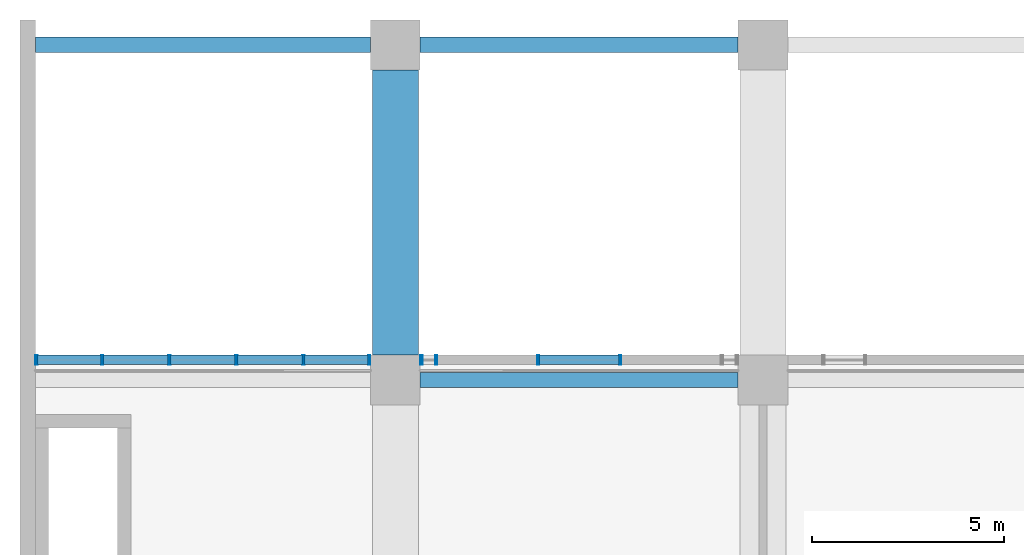
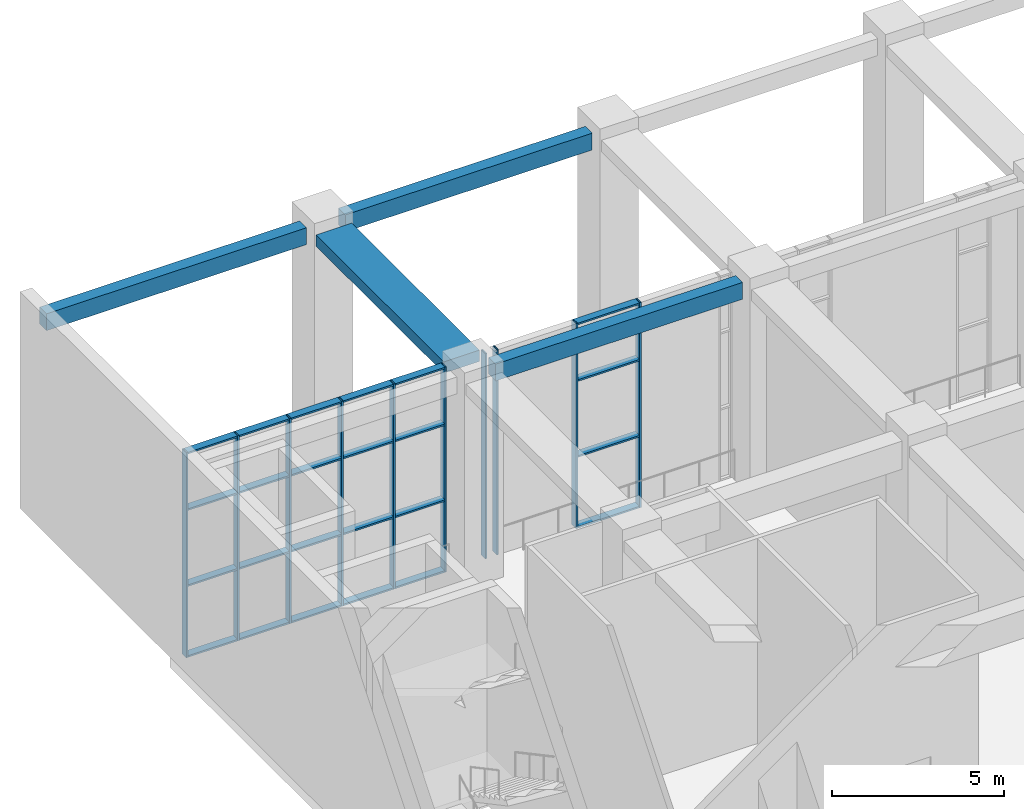
# One storey, part 3 of 33: 34 members, 4 beams, 3 elements without a shape of their own.
"""IFC4 building model written with IfcOpenShell, lengths in metres."""

import ifcopenshell
import ifcopenshell.guid

model = None  # the IFC model being written
_history = None  # IfcOwnerHistory: only IFC2X3 demands one
_inside = {}  # id of a spatial element -> (the spatial element, [elements in it])
_under = {}  # id of a project, library or spatial element -> (it, [spatial elements below it])
_declared = {}  # id of a project -> (the project, [libraries it declares])
_typed = {}  # id of a type object -> (the type object, [elements of that type])
_made_of = {}  # id of a material, layer set ... -> (it, [elements and type objects made of it])


def new_model(schema):
    """Start an empty IFC model of exactly this schema.

    Asked for "IFC4X3", IfcOpenShell would pick the latest addendum, in which some entities
    have other attributes; the version numbers below select the first issue.
    IFC2X3 requires an IfcOwnerHistory on every rooted entity: one is made here for all.
    """
    global model, _history
    if schema == "IFC4X3":
        model = ifcopenshell.file(schema_version=(4, 3, 0, 0))
    else:
        model = ifcopenshell.file(schema=schema)
    _inside.clear()
    _under.clear()
    _declared.clear()
    _typed.clear()
    _made_of.clear()
    _history = None
    if model.schema == "IFC2X3":
        org = make("IfcOrganization", Name="unknown")
        user = make(
            "IfcPersonAndOrganization",
            ThePerson=make("IfcPerson", FamilyName="unknown"),
            TheOrganization=org,
        )
        app = make(
            "IfcApplication",
            ApplicationDeveloper=org,
            Version="unknown",
            ApplicationFullName="unknown",
            ApplicationIdentifier="unknown",
        )
        _history = make(
            "IfcOwnerHistory",
            OwningUser=user,
            OwningApplication=app,
            ChangeAction="ADDED",
            CreationDate=0,
        )
    return model


def make(cls, **values):
    """One entity of the class cls with the attributes given. An attribute that is None is left unset."""
    return model.create_entity(
        cls, **{name: value for name, value in values.items() if value is not None}
    )


def rooted(cls, **values):
    """An entity with a GlobalId (a new one), such as an element, a storey or a relation."""
    return make(cls, GlobalId=ifcopenshell.guid.new(), OwnerHistory=_history, **values)


def si_unit(unit_type, name, prefix=None):
    """IfcSIUnit, for example si_unit("LENGTHUNIT", "METRE", prefix="MILLI")."""
    return make("IfcSIUnit", UnitType=unit_type, Prefix=prefix, Name=name)


def assignment(units):
    """IfcUnitAssignment: the units of a project."""
    return None if units is None else make("IfcUnitAssignment", Units=units)


def point(xyz):
    """IfcCartesianPoint."""
    return None if xyz is None else make("IfcCartesianPoint", Coordinates=xyz)


def direction(xyz):
    """IfcDirection."""
    return None if xyz is None else make("IfcDirection", DirectionRatios=xyz)


def frame(location, z_axis=None, x_axis=None):
    """IfcAxis2Placement3D, a coordinate frame: its origin and axes. An axis left out is left unset."""
    return make(
        "IfcAxis2Placement3D",
        Location=point(location),
        Axis=direction(z_axis),
        RefDirection=direction(x_axis),
    )


def frame_2d(location, x_axis=None):
    """IfcAxis2Placement2D, a coordinate frame in the plane: its origin and x axis."""
    return make(
        "IfcAxis2Placement2D", Location=point(location), RefDirection=direction(x_axis)
    )


def origin():
    """The frame at (0, 0, 0) with its axes left unset."""
    return frame((0.0, 0.0, 0.0))


def origin_2d():
    """The frame at (0, 0) in the plane with its x axis left unset."""
    return frame_2d((0.0, 0.0))


def place(relative_to, where):
    """IfcLocalPlacement: puts the frame where relative to a parent placement (None: the world)."""
    return make(
        "IfcLocalPlacement", PlacementRelTo=relative_to, RelativePlacement=where
    )


def context(
    kind, dimensions, precision=None, world=None, true_north=None, identifier=None
):
    """IfcGeometricRepresentationContext, for example the 3D "Model" context."""
    return make(
        "IfcGeometricRepresentationContext",
        ContextIdentifier=identifier,
        ContextType=kind,
        CoordinateSpaceDimension=dimensions,
        Precision=precision,
        WorldCoordinateSystem=world,
        TrueNorth=true_north,
    )


def subcontext(parent, identifier, kind, view, scale=None):
    """IfcGeometricRepresentationSubContext, for example "Body" below "Model"."""
    return make(
        "IfcGeometricRepresentationSubContext",
        ContextIdentifier=identifier,
        ContextType=kind,
        ParentContext=parent,
        TargetScale=scale,
        TargetView=view,
    )


def project(units=None, contexts=None):
    """IfcProject with its units and contexts."""
    return rooted(
        "IfcProject",
        Name="project",
        RepresentationContexts=contexts,
        UnitsInContext=assignment(units),
    )


def spatial(cls, under=None, at=None, **own):
    """A site, building, storey or space (cls), placed at a placement, below another one or the project."""
    s = rooted(cls, ObjectPlacement=at, **own)
    if under is not None:
        _under.setdefault(under.id(), (under, []))[1].append(s)
    return s


def profile(cls, at=None, kind="AREA", **sizes):
    """A parametric profile (cls). Its sizes go by their IFC names, for example OverallWidth=200.0."""
    return make(cls, ProfileType=kind, Position=at, **sizes)


def rectangle(**sizes):
    """IfcRectangleProfileDef."""
    return profile("IfcRectangleProfileDef", **sizes)


def hollow_rectangle(**sizes):
    """IfcRectangleHollowProfileDef."""
    return profile("IfcRectangleHollowProfileDef", **sizes)


def extrude(swept, where, along, depth):
    """IfcExtrudedAreaSolid: the profile swept, set in the frame where, extruded along a direction by depth."""
    return make(
        "IfcExtrudedAreaSolid",
        SweptArea=swept,
        Position=where,
        ExtrudedDirection=direction(along),
        Depth=depth,
    )


def shape(context_of_items, identifier, shape_type, items):
    """IfcShapeRepresentation: the items that make up one representation, for example the "Body"."""
    return make(
        "IfcShapeRepresentation",
        ContextOfItems=context_of_items,
        RepresentationIdentifier=identifier,
        RepresentationType=shape_type,
        Items=items,
    )


def material(Name=None, Category=None):
    """IfcMaterial."""
    return make("IfcMaterial", Name=Name, Category=Category)


def layer(
    of_material, thickness, ventilated=None, Name=None, Category=None, Priority=None
):
    """IfcMaterialLayer: one layer of a wall or slab, of a material (None: an air gap)."""
    return make(
        "IfcMaterialLayer",
        Material=of_material,
        LayerThickness=thickness,
        IsVentilated=ventilated,
        Name=Name,
        Category=Category,
        Priority=Priority,
    )


def layer_set(layers, Name=None):
    """IfcMaterialLayerSet."""
    return make("IfcMaterialLayerSet", MaterialLayers=layers, LayerSetName=Name)


def material_profile(
    of_material, cross_section, Name=None, Category=None, Priority=None
):
    """IfcMaterialProfile: a cross section and its material."""
    return make(
        "IfcMaterialProfile",
        Name=Name,
        Material=of_material,
        Profile=cross_section,
        Priority=Priority,
        Category=Category,
    )


def profile_set(profiles, Name=None, composite=None):
    """IfcMaterialProfileSet."""
    return make(
        "IfcMaterialProfileSet",
        Name=Name,
        MaterialProfiles=profiles,
        CompositeProfile=composite,
    )


def made_of(thing, what):
    """Note that an element or type object is made of a material, layer set ...; save() writes the relation."""
    if what is not None:
        _made_of.setdefault(what.id(), (what, []))[1].append(thing)
    return thing


def type_object(cls, material=None, **own):
    """A type object (cls), such as IfcWallType, which elements share."""
    return made_of(rooted(cls, **own), material)


def element(
    cls,
    number,
    at=None,
    inside=None,
    cuts=None,
    type_object=None,
    material=None,
    context=None,
    identifier="Body",
    shape_type=None,
    held_by="IfcProductDefinitionShape",
    body=None,
    shapes=None,
    **own,
):
    """One element of the class cls, such as IfcWall. Its Tag is "e" and its number.

    at: its placement. inside: the storey or other place that contains it. cuts: it is an
    opening in that element (IfcRelVoidsElement). A single representation is given by context,
    identifier, shape_type and body (its items); several are given by shapes. held_by: the class
    of the entity that holds the representations. save() writes the other relations.
    """
    e = rooted(cls, Tag="e%d" % number, ObjectPlacement=at, **own)
    if body is not None:
        shapes = [shape(context, identifier, shape_type, body)]
    if shapes is not None:
        e.Representation = make(held_by, Representations=shapes)
    if inside is not None:
        _inside.setdefault(inside.id(), (inside, []))[1].append(e)
    if cuts is not None:
        rooted(
            "IfcRelVoidsElement", RelatingBuildingElement=cuts, RelatedOpeningElement=e
        )
    if type_object is not None:
        _typed.setdefault(type_object.id(), (type_object, []))[1].append(e)
    return made_of(e, material)


def aggregate(whole, parts):
    """IfcRelAggregates: a whole, such as a stair, and the parts it consists of."""
    return rooted("IfcRelAggregates", RelatingObject=whole, RelatedObjects=parts)


def save(model, path):
    """Write the relations noted so far, then the file.

    IfcRelAggregates (storeys below a building ...), IfcRelContainedInSpatialStructure (elements
    in a storey), IfcRelDefinesByType, IfcRelAssociatesMaterial and IfcRelDeclares: one each for
    every whole, place, type object, material and project.
    """
    for whole, parts in _under.values():
        aggregate(whole, parts)
    for where, things in _inside.values():
        rooted(
            "IfcRelContainedInSpatialStructure",
            RelatedElements=things,
            RelatingStructure=where,
        )
    for kind, things in _typed.values():
        rooted("IfcRelDefinesByType", RelatedObjects=things, RelatingType=kind)
    for what, things in _made_of.values():
        rooted("IfcRelAssociatesMaterial", RelatedObjects=things, RelatingMaterial=what)
    for by, libraries in _declared.values():
        rooted("IfcRelDeclares", RelatingContext=by, RelatedDefinitions=libraries)
    model.write(path)


model = new_model("IFC4")

# Units and contexts
model_context = context("Model", 3, precision=1e-05, world=origin(), true_north=direction((0.0, 1.0)))
body_context = subcontext(model_context, "Body", "Model", "MODEL_VIEW")
ifc_project = project(units=[si_unit("LENGTHUNIT", "METRE"), si_unit("AREAUNIT", "SQUARE_METRE"), si_unit("VOLUMEUNIT", "CUBIC_METRE"), si_unit("PLANEANGLEUNIT", "RADIAN"), si_unit("MASSUNIT", "GRAM", prefix="KILO")], contexts=[model_context])

# Site, building, storey
site_placement = place(None, origin())
site = spatial("IfcSite", under=ifc_project, at=site_placement, CompositionType="ELEMENT")
building_placement = place(site_placement, origin())
building = spatial("IfcBuilding", under=site, at=building_placement, Name="Nzadi Deep Aquarium and Research Tower", CompositionType="ELEMENT")
storey_placement = place(building_placement, frame((0.0, 0.0, 6.5)))
storey = spatial("IfcBuildingStorey", under=building, at=storey_placement, Name="L01", CompositionType="ELEMENT", Elevation=6.5)

# Curtain wall, members
ifc_material_1 = material(Name="Aluminium stick frame", Category="aluminium")
ifc_layer = layer(ifc_material_1, 0.25)
ifc_layer_set = layer_set([ifc_layer], Name="Aluminium stick frame")
curtain_wall_type = type_object("IfcCurtainWallType", Name="Curtain wall Stick 250", PredefinedType="NOTDEFINED", material=ifc_layer_set)
curtain_wall_1_placement = place(storey_placement, origin())
curtain_wall_1 = element("IfcCurtainWall", 1, at=curtain_wall_1_placement, inside=storey, type_object=curtain_wall_type, Name="Lobby stick glazing L01", PredefinedType="NOTDEFINED")
ifc_material_2 = material(Name="Aluminium stick frame", Category="aluminium")
ifc_material_profile_1 = material_profile(ifc_material_2, hollow_rectangle(XDim=0.25, YDim=0.06005859375, WallThickness=0.0048828125, at=origin_2d()))
ifc_profile_set_1 = profile_set([ifc_material_profile_1], Name="Aluminium stick frame")
member_type_1 = type_object("IfcMemberType", Name="Mullion 60x250 Stick", PredefinedType="MULLION", material=ifc_profile_set_1)
member_1_placement = place(storey_placement, frame((0.22998046875, 132.125, 0.0), z_axis=(0.0, 0.0, 1.0), x_axis=(0.0, 1.0, 0.0)))
member_1 = element("IfcMember", 2, at=member_1_placement, type_object=member_type_1, Name="CW226 mullion 1", PredefinedType="MULLION", context=body_context, shape_type="SweptSolid", body=[
    extrude(hollow_rectangle(XDim=0.25, YDim=0.06005859375, WallThickness=0.0048828125, at=origin_2d()), origin(), (0.0, 0.0, 1.0), 7.2900390625),
])
member_2_placement = place(storey_placement, frame((1.949951171875, 132.125, 0.0), z_axis=(0.0, 0.0, 1.0), x_axis=(0.0, 1.0, 0.0)))
member_2 = element("IfcMember", 3, at=member_2_placement, type_object=member_type_1, Name="CW226 mullion 2", PredefinedType="MULLION", context=body_context, shape_type="SweptSolid", body=[
    extrude(hollow_rectangle(XDim=0.25, YDim=0.06005859375, WallThickness=0.0048828125, at=origin_2d()), origin(), (0.0, 0.0, 1.0), 7.2900390625),
])
member_3_placement = place(storey_placement, frame((3.699951171875, 132.125, 0.0), z_axis=(0.0, 0.0, 1.0), x_axis=(0.0, 1.0, 0.0)))
member_3 = element("IfcMember", 4, at=member_3_placement, type_object=member_type_1, Name="CW226 mullion 3", PredefinedType="MULLION", context=body_context, shape_type="SweptSolid", body=[
    extrude(hollow_rectangle(XDim=0.25, YDim=0.06005859375, WallThickness=0.0048828125, at=origin_2d()), origin(), (0.0, 0.0, 1.0), 7.2900390625),
])
member_4_placement = place(storey_placement, frame((5.449951171875, 132.125, 0.0), z_axis=(0.0, 0.0, 1.0), x_axis=(0.0, 1.0, 0.0)))
member_4 = element("IfcMember", 5, at=member_4_placement, type_object=member_type_1, Name="CW226 mullion 4", PredefinedType="MULLION", context=body_context, shape_type="SweptSolid", body=[
    extrude(hollow_rectangle(XDim=0.25, YDim=0.06005859375, WallThickness=0.0048828125, at=origin_2d()), origin(), (0.0, 0.0, 1.0), 7.2900390625),
])
member_5_placement = place(storey_placement, frame((7.199951171875, 132.125, 0.0), z_axis=(0.0, 0.0, 1.0), x_axis=(0.0, 1.0, 0.0)))
member_5 = element("IfcMember", 6, at=member_5_placement, type_object=member_type_1, Name="CW226 mullion 5", PredefinedType="MULLION", context=body_context, shape_type="SweptSolid", body=[
    extrude(hollow_rectangle(XDim=0.25, YDim=0.06005859375, WallThickness=0.0048828125, at=origin_2d()), origin(), (0.0, 0.0, 1.0), 7.2900390625),
])
member_6_placement = place(storey_placement, frame((8.919921875, 132.125, 0.0), z_axis=(0.0, 0.0, 1.0), x_axis=(0.0, 1.0, 0.0)))
member_6 = element("IfcMember", 7, at=member_6_placement, type_object=member_type_1, Name="CW226 mullion 6", PredefinedType="MULLION", context=body_context, shape_type="SweptSolid", body=[
    extrude(hollow_rectangle(XDim=0.25, YDim=0.06005859375, WallThickness=0.0048828125, at=origin_2d()), origin(), (0.0, 0.0, 1.0), 7.2900390625),
])

curtain_wall_2_placement = place(storey_placement, origin())
curtain_wall_2 = element("IfcCurtainWall", 8, at=curtain_wall_2_placement, inside=storey, type_object=curtain_wall_type, Name="Lobby stick glazing L01", PredefinedType="NOTDEFINED")
member_7_placement = place(storey_placement, frame((10.280029296875, 132.125, 0.0), z_axis=(0.0, 0.0, 1.0), x_axis=(0.0, 1.0, 0.0)))
member_7 = element("IfcMember", 9, at=member_7_placement, type_object=member_type_1, Name="CW230 mullion 1", PredefinedType="MULLION", context=body_context, shape_type="SweptSolid", body=[
    extrude(hollow_rectangle(XDim=0.25, YDim=0.06005859375, WallThickness=0.0048828125, at=origin_2d()), origin(), (0.0, 0.0, 1.0), 7.2900390625),
])
member_8_placement = place(storey_placement, frame((10.669921875, 132.125, 0.0), z_axis=(0.0, 0.0, 1.0), x_axis=(0.0, 1.0, 0.0)))
member_8 = element("IfcMember", 10, at=member_8_placement, type_object=member_type_1, Name="CW230 mullion 2", PredefinedType="MULLION", context=body_context, shape_type="SweptSolid", body=[
    extrude(hollow_rectangle(XDim=0.25, YDim=0.06005859375, WallThickness=0.0048828125, at=origin_2d()), origin(), (0.0, 0.0, 1.0), 7.2900390625),
])
aggregate(curtain_wall_2, [member_7, member_8])

curtain_wall_3_placement = place(storey_placement, origin())
curtain_wall_3 = element("IfcCurtainWall", 11, at=curtain_wall_3_placement, inside=storey, type_object=curtain_wall_type, Name="Lobby stick glazing L01", PredefinedType="NOTDEFINED")
member_9_placement = place(storey_placement, frame((13.330078125, 132.125, 0.0), z_axis=(0.0, 0.0, 1.0), x_axis=(0.0, 1.0, 0.0)))
member_9 = element("IfcMember", 12, at=member_9_placement, type_object=member_type_1, Name="CW231 mullion 1", PredefinedType="MULLION", context=body_context, shape_type="SweptSolid", body=[
    extrude(hollow_rectangle(XDim=0.25, YDim=0.06005859375, WallThickness=0.0048828125, at=origin_2d()), origin(), (0.0, 0.0, 1.0), 7.2900390625),
])
member_10_placement = place(storey_placement, frame((15.469970703125, 132.125, 0.0), z_axis=(0.0, 0.0, 1.0), x_axis=(0.0, 1.0, 0.0)))
member_10 = element("IfcMember", 13, at=member_10_placement, type_object=member_type_1, Name="CW231 mullion 2", PredefinedType="MULLION", context=body_context, shape_type="SweptSolid", body=[
    extrude(hollow_rectangle(XDim=0.25, YDim=0.06005859375, WallThickness=0.0048828125, at=origin_2d()), origin(), (0.0, 0.0, 1.0), 7.2900390625),
])

# Beams
ifc_material_3 = material(Name="Concrete C35/45", Category="concrete")
ifc_material_profile_2 = material_profile(ifc_material_3, rectangle(XDim=1.199951171875, YDim=0.39990234375, at=origin_2d()))
ifc_profile_set_2 = profile_set([ifc_material_profile_2], Name="Concrete C35/45")
beam_type_1 = type_object("IfcBeamType", Name="RC 1200x400", PredefinedType="BEAM", material=ifc_profile_set_2)
beam_1_placement = place(storey_placement, frame((9.60009765625, 132.25, 7.090087890625), z_axis=(0.0, 1.0, 0.0), x_axis=(-1.0, 0.0, 0.0)))
element("IfcBeam", 14, at=beam_1_placement, inside=storey, type_object=beam_type_1, Name="B-Z3-L01-CB-5-13", PredefinedType="BEAM", context=body_context, shape_type="SweptSolid", body=[
    extrude(rectangle(XDim=1.199951171875, YDim=0.39990234375, at=origin_2d()), origin(), (0.0, 0.0, 1.0), 7.449951171875),
])
ifc_material_4 = material(Name="Concrete C35/45", Category="concrete")
ifc_material_profile_3 = material_profile(ifc_material_4, rectangle(XDim=0.39990234375, YDim=0.60009765625, at=origin_2d()))
ifc_profile_set_3 = profile_set([ifc_material_profile_3], Name="Concrete C35/45")
beam_type_2 = type_object("IfcBeamType", Name="RC 400x600", PredefinedType="BEAM", material=ifc_profile_set_3)
beam_2_placement = place(storey_placement, frame((10.25, 131.60009765625, 6.989990234375), z_axis=(1.0, 0.0, 0.0), x_axis=(0.0, 1.0, 0.0)))
element("IfcBeam", 15, at=beam_2_placement, inside=storey, type_object=beam_type_2, Name="B-Z3-L01-L17-2", PredefinedType="BEAM", context=body_context, shape_type="SweptSolid", body=[
    extrude(rectangle(XDim=0.39990234375, YDim=0.60009765625, at=origin_2d()), origin(), (0.0, 0.0, 1.0), 8.300048828125),
])
beam_3_placement = place(storey_placement, frame((0.199951171875, 140.35009765625, 6.989990234375), z_axis=(1.0, 0.0, 0.0), x_axis=(0.0, 1.0, 0.0)))
element("IfcBeam", 16, at=beam_3_placement, inside=storey, type_object=beam_type_2, Name="B-Z3-L01-L18-1", PredefinedType="BEAM", context=body_context, shape_type="SweptSolid", body=[
    extrude(rectangle(XDim=0.39990234375, YDim=0.60009765625, at=origin_2d()), origin(), (0.0, 0.0, 1.0), 8.75),
])
beam_4_placement = place(storey_placement, frame((10.25, 140.35009765625, 6.989990234375), z_axis=(1.0, 0.0, 0.0), x_axis=(0.0, 1.0, 0.0)))
element("IfcBeam", 17, at=beam_4_placement, inside=storey, type_object=beam_type_2, Name="B-Z3-L01-L18-2", PredefinedType="BEAM", context=body_context, shape_type="SweptSolid", body=[
    extrude(rectangle(XDim=0.39990234375, YDim=0.60009765625, at=origin_2d()), origin(), (0.0, 0.0, 1.0), 8.300048828125),
])

# Member
ifc_material_5 = material(Name="Aluminium stick frame", Category="aluminium")
ifc_material_profile_4 = material_profile(ifc_material_5, hollow_rectangle(XDim=0.25, YDim=0.06005859375, WallThickness=0.0048828125, at=origin_2d()))
ifc_profile_set_4 = profile_set([ifc_material_profile_4], Name="Aluminium stick frame")
member_type_2 = type_object("IfcMemberType", Name="Transom 60x250 Stick", PredefinedType="MULLION", material=ifc_profile_set_4)
member_11_placement = place(storey_placement, frame((0.260009765625, 132.125, 0.030029296875), z_axis=(1.0, 0.0, 0.0), x_axis=(0.0, 1.0, 0.0)))
member_11 = element("IfcMember", 18, at=member_11_placement, type_object=member_type_2, Name="CW226 transom 1.1", PredefinedType="MULLION", context=body_context, shape_type="SweptSolid", body=[
    extrude(hollow_rectangle(XDim=0.25, YDim=0.06005859375, WallThickness=0.0048828125, at=origin_2d()), origin(), (0.0, 0.0, 1.0), 1.659912109375),
])

member_12_placement = place(storey_placement, frame((0.260009765625, 132.125, 2.550048828125), z_axis=(1.0, 0.0, 0.0), x_axis=(0.0, 1.0, 0.0)))
member_12 = element("IfcMember", 19, at=member_12_placement, type_object=member_type_2, Name="CW226 transom 1.2", PredefinedType="MULLION", context=body_context, shape_type="SweptSolid", body=[
    extrude(hollow_rectangle(XDim=0.25, YDim=0.06005859375, WallThickness=0.0048828125, at=origin_2d()), origin(), (0.0, 0.0, 1.0), 1.659912109375),
])

member_13_placement = place(storey_placement, frame((0.260009765625, 132.125, 5.2490234375), z_axis=(1.0, 0.0, 0.0), x_axis=(0.0, 1.0, 0.0)))
member_13 = element("IfcMember", 20, at=member_13_placement, type_object=member_type_2, Name="CW226 transom 1.3", PredefinedType="MULLION", context=body_context, shape_type="SweptSolid", body=[
    extrude(hollow_rectangle(XDim=0.25, YDim=0.06005859375, WallThickness=0.0048828125, at=origin_2d()), origin(), (0.0, 0.0, 1.0), 1.659912109375),
])

member_14_placement = place(storey_placement, frame((0.260009765625, 132.125, 7.260009765625), z_axis=(1.0, 0.0, 0.0), x_axis=(0.0, 1.0, 0.0)))
member_14 = element("IfcMember", 21, at=member_14_placement, type_object=member_type_2, Name="CW226 transom 1.4", PredefinedType="MULLION", context=body_context, shape_type="SweptSolid", body=[
    extrude(hollow_rectangle(XDim=0.25, YDim=0.06005859375, WallThickness=0.0048828125, at=origin_2d()), origin(), (0.0, 0.0, 1.0), 1.659912109375),
])

member_15_placement = place(storey_placement, frame((1.97998046875, 132.125, 0.030029296875), z_axis=(1.0, 0.0, 0.0), x_axis=(0.0, 1.0, 0.0)))
member_15 = element("IfcMember", 22, at=member_15_placement, type_object=member_type_2, Name="CW226 transom 2.1", PredefinedType="MULLION", context=body_context, shape_type="SweptSolid", body=[
    extrude(hollow_rectangle(XDim=0.25, YDim=0.06005859375, WallThickness=0.0048828125, at=origin_2d()), origin(), (0.0, 0.0, 1.0), 1.68994140625),
])

member_16_placement = place(storey_placement, frame((1.97998046875, 132.125, 2.550048828125), z_axis=(1.0, 0.0, 0.0), x_axis=(0.0, 1.0, 0.0)))
member_16 = element("IfcMember", 23, at=member_16_placement, type_object=member_type_2, Name="CW226 transom 2.2", PredefinedType="MULLION", context=body_context, shape_type="SweptSolid", body=[
    extrude(hollow_rectangle(XDim=0.25, YDim=0.06005859375, WallThickness=0.0048828125, at=origin_2d()), origin(), (0.0, 0.0, 1.0), 1.68994140625),
])

member_17_placement = place(storey_placement, frame((1.97998046875, 132.125, 5.2490234375), z_axis=(1.0, 0.0, 0.0), x_axis=(0.0, 1.0, 0.0)))
member_17 = element("IfcMember", 24, at=member_17_placement, type_object=member_type_2, Name="CW226 transom 2.3", PredefinedType="MULLION", context=body_context, shape_type="SweptSolid", body=[
    extrude(hollow_rectangle(XDim=0.25, YDim=0.06005859375, WallThickness=0.0048828125, at=origin_2d()), origin(), (0.0, 0.0, 1.0), 1.68994140625),
])

member_18_placement = place(storey_placement, frame((1.97998046875, 132.125, 7.260009765625), z_axis=(1.0, 0.0, 0.0), x_axis=(0.0, 1.0, 0.0)))
member_18 = element("IfcMember", 25, at=member_18_placement, type_object=member_type_2, Name="CW226 transom 2.4", PredefinedType="MULLION", context=body_context, shape_type="SweptSolid", body=[
    extrude(hollow_rectangle(XDim=0.25, YDim=0.06005859375, WallThickness=0.0048828125, at=origin_2d()), origin(), (0.0, 0.0, 1.0), 1.68994140625),
])

member_19_placement = place(storey_placement, frame((3.72998046875, 132.125, 0.030029296875), z_axis=(1.0, 0.0, 0.0), x_axis=(0.0, 1.0, 0.0)))
member_19 = element("IfcMember", 26, at=member_19_placement, type_object=member_type_2, Name="CW226 transom 3.1", PredefinedType="MULLION", context=body_context, shape_type="SweptSolid", body=[
    extrude(hollow_rectangle(XDim=0.25, YDim=0.06005859375, WallThickness=0.0048828125, at=origin_2d()), origin(), (0.0, 0.0, 1.0), 1.68994140625),
])

member_20_placement = place(storey_placement, frame((3.72998046875, 132.125, 2.550048828125), z_axis=(1.0, 0.0, 0.0), x_axis=(0.0, 1.0, 0.0)))
member_20 = element("IfcMember", 27, at=member_20_placement, type_object=member_type_2, Name="CW226 transom 3.2", PredefinedType="MULLION", context=body_context, shape_type="SweptSolid", body=[
    extrude(hollow_rectangle(XDim=0.25, YDim=0.06005859375, WallThickness=0.0048828125, at=origin_2d()), origin(), (0.0, 0.0, 1.0), 1.68994140625),
])

member_21_placement = place(storey_placement, frame((3.72998046875, 132.125, 5.2490234375), z_axis=(1.0, 0.0, 0.0), x_axis=(0.0, 1.0, 0.0)))
member_21 = element("IfcMember", 28, at=member_21_placement, type_object=member_type_2, Name="CW226 transom 3.3", PredefinedType="MULLION", context=body_context, shape_type="SweptSolid", body=[
    extrude(hollow_rectangle(XDim=0.25, YDim=0.06005859375, WallThickness=0.0048828125, at=origin_2d()), origin(), (0.0, 0.0, 1.0), 1.68994140625),
])

member_22_placement = place(storey_placement, frame((3.72998046875, 132.125, 7.260009765625), z_axis=(1.0, 0.0, 0.0), x_axis=(0.0, 1.0, 0.0)))
member_22 = element("IfcMember", 29, at=member_22_placement, type_object=member_type_2, Name="CW226 transom 3.4", PredefinedType="MULLION", context=body_context, shape_type="SweptSolid", body=[
    extrude(hollow_rectangle(XDim=0.25, YDim=0.06005859375, WallThickness=0.0048828125, at=origin_2d()), origin(), (0.0, 0.0, 1.0), 1.68994140625),
])

member_23_placement = place(storey_placement, frame((5.47998046875, 132.125, 0.030029296875), z_axis=(1.0, 0.0, 0.0), x_axis=(0.0, 1.0, 0.0)))
member_23 = element("IfcMember", 30, at=member_23_placement, type_object=member_type_2, Name="CW226 transom 4.1", PredefinedType="MULLION", context=body_context, shape_type="SweptSolid", body=[
    extrude(hollow_rectangle(XDim=0.25, YDim=0.06005859375, WallThickness=0.0048828125, at=origin_2d()), origin(), (0.0, 0.0, 1.0), 1.68994140625),
])

member_24_placement = place(storey_placement, frame((5.47998046875, 132.125, 2.550048828125), z_axis=(1.0, 0.0, 0.0), x_axis=(0.0, 1.0, 0.0)))
member_24 = element("IfcMember", 31, at=member_24_placement, type_object=member_type_2, Name="CW226 transom 4.2", PredefinedType="MULLION", context=body_context, shape_type="SweptSolid", body=[
    extrude(hollow_rectangle(XDim=0.25, YDim=0.06005859375, WallThickness=0.0048828125, at=origin_2d()), origin(), (0.0, 0.0, 1.0), 1.68994140625),
])

member_25_placement = place(storey_placement, frame((5.47998046875, 132.125, 5.2490234375), z_axis=(1.0, 0.0, 0.0), x_axis=(0.0, 1.0, 0.0)))
member_25 = element("IfcMember", 32, at=member_25_placement, type_object=member_type_2, Name="CW226 transom 4.3", PredefinedType="MULLION", context=body_context, shape_type="SweptSolid", body=[
    extrude(hollow_rectangle(XDim=0.25, YDim=0.06005859375, WallThickness=0.0048828125, at=origin_2d()), origin(), (0.0, 0.0, 1.0), 1.68994140625),
])

member_26_placement = place(storey_placement, frame((5.47998046875, 132.125, 7.260009765625), z_axis=(1.0, 0.0, 0.0), x_axis=(0.0, 1.0, 0.0)))
member_26 = element("IfcMember", 33, at=member_26_placement, type_object=member_type_2, Name="CW226 transom 4.4", PredefinedType="MULLION", context=body_context, shape_type="SweptSolid", body=[
    extrude(hollow_rectangle(XDim=0.25, YDim=0.06005859375, WallThickness=0.0048828125, at=origin_2d()), origin(), (0.0, 0.0, 1.0), 1.68994140625),
])

member_27_placement = place(storey_placement, frame((7.22998046875, 132.125, 0.030029296875), z_axis=(1.0, 0.0, 0.0), x_axis=(0.0, 1.0, 0.0)))
member_27 = element("IfcMember", 34, at=member_27_placement, type_object=member_type_2, Name="CW226 transom 5.1", PredefinedType="MULLION", context=body_context, shape_type="SweptSolid", body=[
    extrude(hollow_rectangle(XDim=0.25, YDim=0.06005859375, WallThickness=0.0048828125, at=origin_2d()), origin(), (0.0, 0.0, 1.0), 1.659912109375),
])

member_28_placement = place(storey_placement, frame((7.22998046875, 132.125, 2.550048828125), z_axis=(1.0, 0.0, 0.0), x_axis=(0.0, 1.0, 0.0)))
member_28 = element("IfcMember", 35, at=member_28_placement, type_object=member_type_2, Name="CW226 transom 5.2", PredefinedType="MULLION", context=body_context, shape_type="SweptSolid", body=[
    extrude(hollow_rectangle(XDim=0.25, YDim=0.06005859375, WallThickness=0.0048828125, at=origin_2d()), origin(), (0.0, 0.0, 1.0), 1.659912109375),
])

member_29_placement = place(storey_placement, frame((7.22998046875, 132.125, 5.2490234375), z_axis=(1.0, 0.0, 0.0), x_axis=(0.0, 1.0, 0.0)))
member_29 = element("IfcMember", 36, at=member_29_placement, type_object=member_type_2, Name="CW226 transom 5.3", PredefinedType="MULLION", context=body_context, shape_type="SweptSolid", body=[
    extrude(hollow_rectangle(XDim=0.25, YDim=0.06005859375, WallThickness=0.0048828125, at=origin_2d()), origin(), (0.0, 0.0, 1.0), 1.659912109375),
])

member_30_placement = place(storey_placement, frame((7.22998046875, 132.125, 7.260009765625), z_axis=(1.0, 0.0, 0.0), x_axis=(0.0, 1.0, 0.0)))
member_30 = element("IfcMember", 37, at=member_30_placement, type_object=member_type_2, Name="CW226 transom 5.4", PredefinedType="MULLION", context=body_context, shape_type="SweptSolid", body=[
    extrude(hollow_rectangle(XDim=0.25, YDim=0.06005859375, WallThickness=0.0048828125, at=origin_2d()), origin(), (0.0, 0.0, 1.0), 1.659912109375),
])

aggregate(curtain_wall_1, [member_1, member_2, member_3, member_4, member_5, member_6, member_11, member_12, member_13, member_14, member_15, member_16, member_17, member_18, member_19, member_20, member_21, member_22, member_23, member_24, member_25, member_26, member_27, member_28, member_29, member_30])

member_31_placement = place(storey_placement, frame((13.360107421875, 132.125, 0.030029296875), z_axis=(1.0, 0.0, 0.0), x_axis=(0.0, 1.0, 0.0)))
member_31 = element("IfcMember", 38, at=member_31_placement, type_object=member_type_2, Name="CW231 transom 1.1", PredefinedType="MULLION", context=body_context, shape_type="SweptSolid", body=[
    extrude(hollow_rectangle(XDim=0.25, YDim=0.06005859375, WallThickness=0.0048828125, at=origin_2d()), origin(), (0.0, 0.0, 1.0), 2.079833984375),
])

member_32_placement = place(storey_placement, frame((13.360107421875, 132.125, 2.550048828125), z_axis=(1.0, 0.0, 0.0), x_axis=(0.0, 1.0, 0.0)))
member_32 = element("IfcMember", 39, at=member_32_placement, type_object=member_type_2, Name="CW231 transom 1.2", PredefinedType="MULLION", context=body_context, shape_type="SweptSolid", body=[
    extrude(hollow_rectangle(XDim=0.25, YDim=0.06005859375, WallThickness=0.0048828125, at=origin_2d()), origin(), (0.0, 0.0, 1.0), 2.079833984375),
])

member_33_placement = place(storey_placement, frame((13.360107421875, 132.125, 5.2490234375), z_axis=(1.0, 0.0, 0.0), x_axis=(0.0, 1.0, 0.0)))
member_33 = element("IfcMember", 40, at=member_33_placement, type_object=member_type_2, Name="CW231 transom 1.3", PredefinedType="MULLION", context=body_context, shape_type="SweptSolid", body=[
    extrude(hollow_rectangle(XDim=0.25, YDim=0.06005859375, WallThickness=0.0048828125, at=origin_2d()), origin(), (0.0, 0.0, 1.0), 2.079833984375),
])

member_34_placement = place(storey_placement, frame((13.360107421875, 132.125, 7.260009765625), z_axis=(1.0, 0.0, 0.0), x_axis=(0.0, 1.0, 0.0)))
member_34 = element("IfcMember", 41, at=member_34_placement, type_object=member_type_2, Name="CW231 transom 1.4", PredefinedType="MULLION", context=body_context, shape_type="SweptSolid", body=[
    extrude(hollow_rectangle(XDim=0.25, YDim=0.06005859375, WallThickness=0.0048828125, at=origin_2d()), origin(), (0.0, 0.0, 1.0), 2.079833984375),
])

aggregate(curtain_wall_3, [member_9, member_10, member_31, member_32, member_33, member_34])

save(model, "model.ifc")
